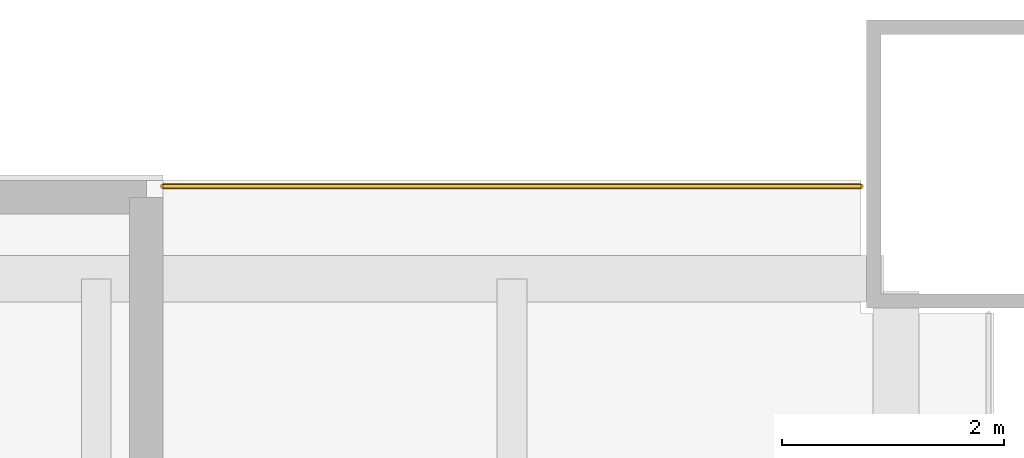
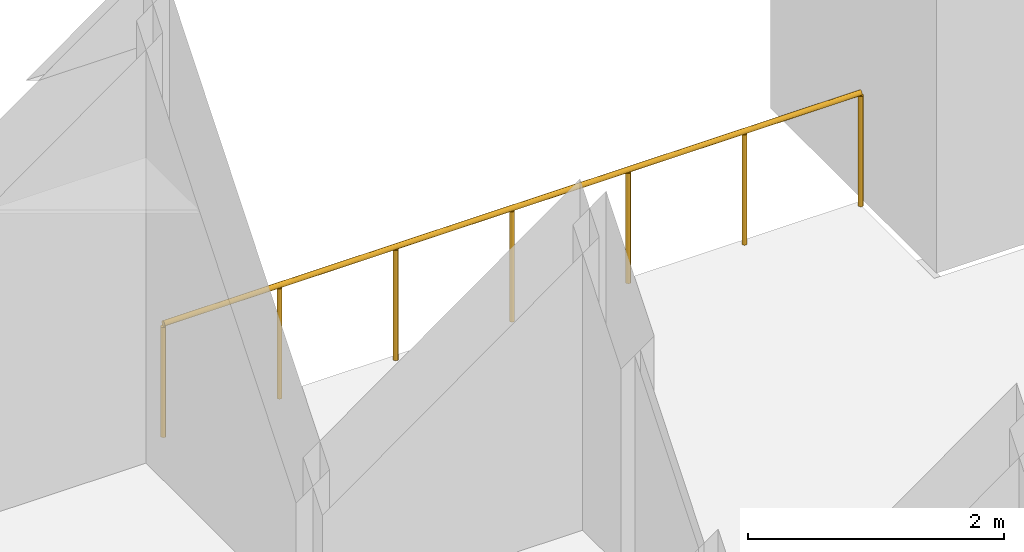
# One storey, part 7 of 7: 1 railing.
"""IFC4 building model written with IfcOpenShell, lengths in metres."""

from ifc_helpers import new_model, si_unit, direction, frame, origin, origin_2d, place, context, subcontext, project, spatial, circle, extrude, material, type_object, element, save


model = new_model("IFC4")

# Units and contexts
model_context = context("Model", 3, precision=1e-05, world=origin(), true_north=direction((0.0, 1.0)))
body_context = subcontext(model_context, "Body", "Model", "MODEL_VIEW")
ifc_project = project(units=[si_unit("LENGTHUNIT", "METRE"), si_unit("AREAUNIT", "SQUARE_METRE"), si_unit("VOLUMEUNIT", "CUBIC_METRE"), si_unit("PLANEANGLEUNIT", "RADIAN"), si_unit("MASSUNIT", "GRAM", prefix="KILO")], contexts=[model_context])

# Site, building, storey
site_placement = place(None, origin())
site = spatial("IfcSite", under=ifc_project, at=site_placement, CompositionType="ELEMENT")
building_placement = place(site_placement, origin())
building = spatial("IfcBuilding", under=site, at=building_placement, Name="Tarangal Relay Tower", CompositionType="ELEMENT")
storey_placement = place(building_placement, frame((0.0, 0.0, 126.89990234375)))
storey = spatial("IfcBuildingStorey", under=building, at=storey_placement, Name="L25", CompositionType="ELEMENT", Elevation=126.89990234375)

# Railing
ifc_material = material(Name="Black steel guard with glass infill", Category="steel")
railing_type = type_object("IfcRailingType", Name="Terrace guard 1100", PredefinedType="GUARDRAIL", material=ifc_material)
railing_placement = place(storey_placement, frame((16.35009765625, 23.800048828125, 0.0)))
element("IfcRailing", 1, at=railing_placement, inside=storey, type_object=railing_type, Name="Terrace guard GR2 NE L25", PredefinedType="GUARDRAIL", context=body_context, shape_type="SweptSolid", body=[
    extrude(circle(Radius=0.02392578125, at=origin_2d()), frame((0.0, 0.0, 1.076171875), z_axis=(1.0, 0.0, 0.0), x_axis=(0.0, 1.0, 0.0)), (0.0, 0.0, 1.0), 6.2998046875),
    extrude(circle(Radius=0.02099609375, at=origin_2d()), origin(), (0.0, 0.0, 1.0), 1.052001953125),
    extrude(circle(Radius=0.02099609375, at=origin_2d()), frame((1.050048828125, 0.0, 0.0)), (0.0, 0.0, 1.0), 1.052001953125),
    extrude(circle(Radius=0.02099609375, at=origin_2d()), frame((2.099853515625, 0.0, 0.0)), (0.0, 0.0, 1.0), 1.052001953125),
    extrude(circle(Radius=0.02099609375, at=origin_2d()), frame((3.14990234375, 0.0, 0.0)), (0.0, 0.0, 1.0), 1.052001953125),
    extrude(circle(Radius=0.02099609375, at=origin_2d()), frame((4.199951171875, 0.0, 0.0)), (0.0, 0.0, 1.0), 1.052001953125),
    extrude(circle(Radius=0.02099609375, at=origin_2d()), frame((5.249755859375, 0.0, 0.0)), (0.0, 0.0, 1.0), 1.052001953125),
    extrude(circle(Radius=0.02099609375, at=origin_2d()), frame((6.2998046875, 0.0, 0.0)), (0.0, 0.0, 1.0), 1.052001953125),
])

save(model, "model.ifc")
